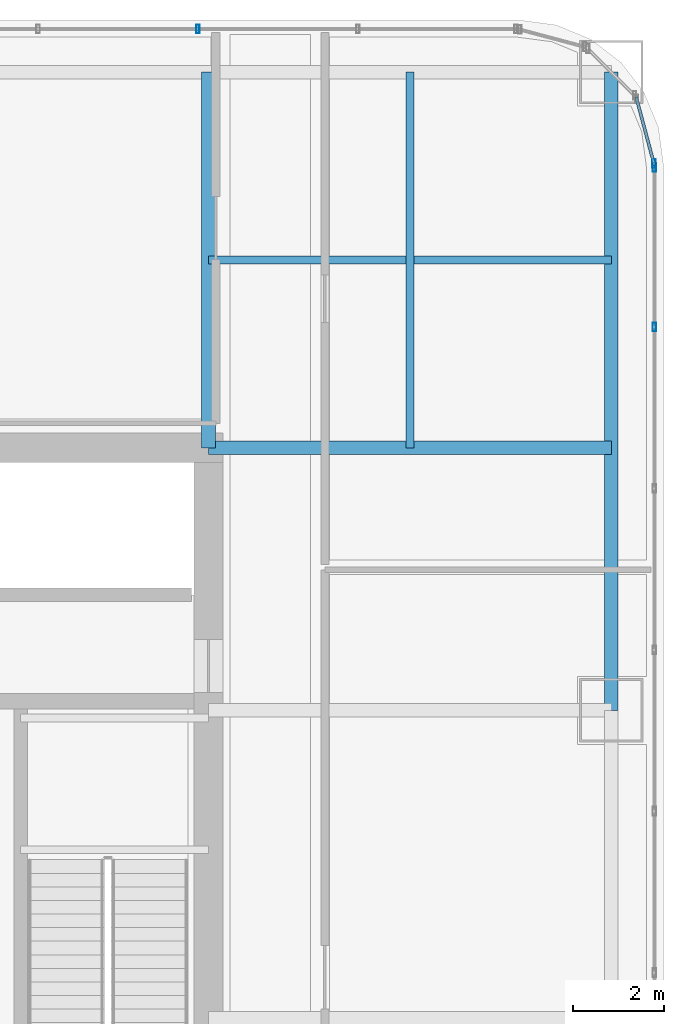
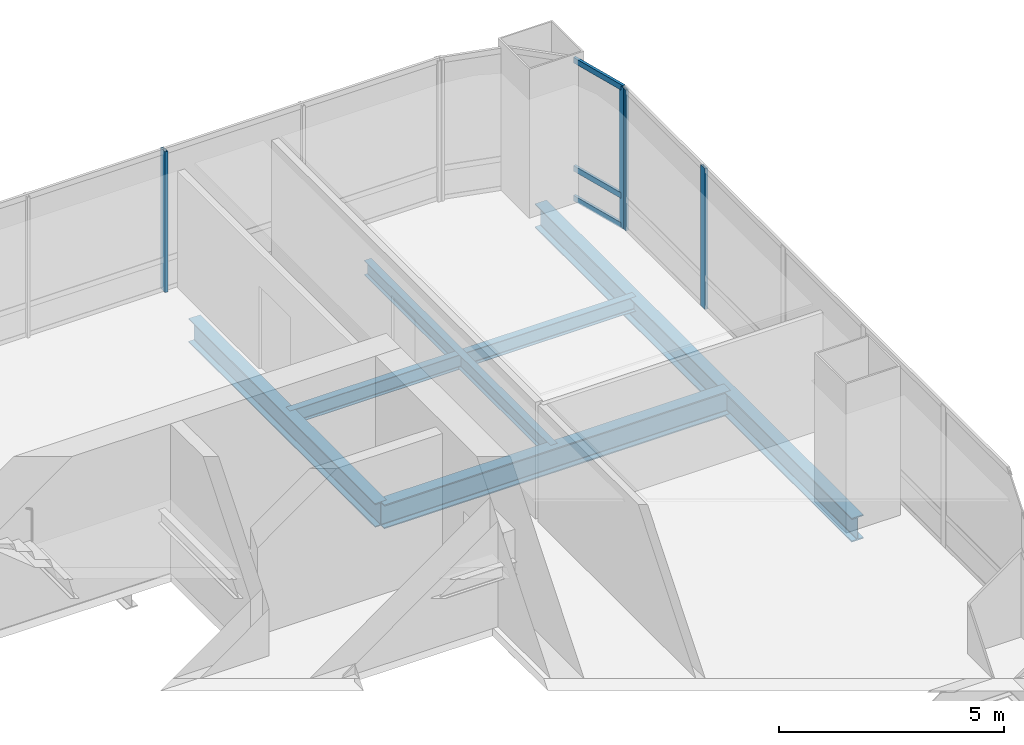
# One storey, part 25 of 36: 7 members, 5 beams, 3 elements without a shape of their own.
"""IFC4 building model written with IfcOpenShell, lengths in metres."""

from ifc_helpers import new_model, si_unit, direction, frame, origin, origin_2d, place, context, subcontext, project, spatial, hollow_rectangle, i_section, extrude, material, material_profile, profile_set, type_object, element, aggregate, save


model = new_model("IFC4")

# Units and contexts
model_context = context("Model", 3, precision=1e-05, world=origin(), true_north=direction((0.0, 1.0)))
body_context = subcontext(model_context, "Body", "Model", "MODEL_VIEW")
ifc_project = project(units=[si_unit("LENGTHUNIT", "METRE"), si_unit("AREAUNIT", "SQUARE_METRE"), si_unit("VOLUMEUNIT", "CUBIC_METRE"), si_unit("PLANEANGLEUNIT", "RADIAN"), si_unit("MASSUNIT", "GRAM", prefix="KILO")], contexts=[model_context])

# Site, building, storey
site_placement = place(None, origin())
site = spatial("IfcSite", under=ifc_project, at=site_placement, CompositionType="ELEMENT")
building_placement = place(site_placement, origin())
building = spatial("IfcBuilding", under=site, at=building_placement, Name="Punatoya Terracotta Tower", CompositionType="ELEMENT")
storey_placement = place(building_placement, frame((0.0, 0.0, 180.300048828125)))
storey = spatial("IfcBuildingStorey", under=building, at=storey_placement, Name="L42", CompositionType="ELEMENT", Elevation=180.300048828125)

# Beams
ifc_material_1 = material(Name="Steel S355", Category="steel")
ifc_material_profile_1 = material_profile(ifc_material_1, i_section(OverallWidth=0.300048828125, OverallDepth=0.64990234375, WebThickness=0.01611328125, FlangeThickness=0.031005859375, FilletRadius=0.01806640625, at=origin_2d()))
ifc_profile_set_1 = profile_set([ifc_material_profile_1], Name="Steel S355")
beam_type_1 = type_object("IfcBeamType", Name="BM-PRI-650", PredefinedType="BEAM", material=ifc_profile_set_1)
beam_1_placement = place(storey_placement, frame((19.10009765625, 3.39990234375, -0.545166015625), z_axis=(0.0, 1.0, 0.0), x_axis=(-1.0, 0.0, 0.0)))
element("IfcBeam", 1, at=beam_1_placement, inside=storey, type_object=beam_type_1, Name="BM-L42-RG-E3", PredefinedType="BEAM", context=body_context, shape_type="SweptSolid", body=[
    extrude(i_section(OverallWidth=0.300048828125, OverallDepth=0.64990234375, WebThickness=0.01611328125, FlangeThickness=0.031005859375, FilletRadius=0.01806640625, at=origin_2d()), origin(), (0.0, 0.0, 1.0), 14.10009765625),
])
beam_2_placement = place(storey_placement, frame((10.199951171875, 9.199951171875, -0.545166015625), z_axis=(1.0, 0.0, 0.0), x_axis=(0.0, 1.0, 0.0)))
element("IfcBeam", 2, at=beam_2_placement, inside=storey, type_object=beam_type_1, Name="BM-L42-PR-EN", PredefinedType="BEAM", context=body_context, shape_type="SweptSolid", body=[
    extrude(i_section(OverallWidth=0.300048828125, OverallDepth=0.64990234375, WebThickness=0.01611328125, FlangeThickness=0.031005859375, FilletRadius=0.01806640625, at=origin_2d()), origin(), (0.0, 0.0, 1.0), 8.900146484375),
])
beam_3_placement = place(storey_placement, frame((10.199951171875, 9.199951171875, -0.545166015625), z_axis=(0.0, 1.0, 0.0), x_axis=(-1.0, 0.0, 0.0)))
element("IfcBeam", 3, at=beam_3_placement, inside=storey, type_object=beam_type_1, Name="BM-L42-PR-N4", PredefinedType="BEAM", context=body_context, shape_type="SweptSolid", body=[
    extrude(i_section(OverallWidth=0.300048828125, OverallDepth=0.64990234375, WebThickness=0.01611328125, FlangeThickness=0.031005859375, FilletRadius=0.01806640625, at=origin_2d()), origin(), (0.0, 0.0, 1.0), 8.300048828125),
])
ifc_material_profile_2 = material_profile(ifc_material_1, i_section(OverallWidth=0.179931640625, OverallDepth=0.39990234375, WebThickness=0.008544921875, FlangeThickness=0.013427734375, FilletRadius=0.01806640625, at=origin_2d()))
ifc_profile_set_2 = profile_set([ifc_material_profile_2], Name="Steel S355")
beam_type_2 = type_object("IfcBeamType", Name="BM-SEC-400", PredefinedType="JOIST", material=ifc_profile_set_2)
beam_4_placement = place(storey_placement, frame((10.199951171875, 13.35009765625, -0.420166015625), z_axis=(1.0, 0.0, 0.0), x_axis=(0.0, 1.0, 0.0)))
element("IfcBeam", 4, at=beam_4_placement, inside=storey, type_object=beam_type_2, Name="BM-L42-SJN-2", PredefinedType="JOIST", context=body_context, shape_type="SweptSolid", body=[
    extrude(i_section(OverallWidth=0.179931640625, OverallDepth=0.39990234375, WebThickness=0.008544921875, FlangeThickness=0.013427734375, FilletRadius=0.01806640625, at=origin_2d()), origin(), (0.0, 0.0, 1.0), 8.900146484375),
])
beam_5_placement = place(storey_placement, frame((14.64990234375, 9.199951171875, -0.420166015625), z_axis=(0.0, 1.0, 0.0), x_axis=(-1.0, 0.0, 0.0)))
element("IfcBeam", 5, at=beam_5_placement, inside=storey, type_object=beam_type_2, Name="BM-L42-SJE-2", PredefinedType="JOIST", context=body_context, shape_type="SweptSolid", body=[
    extrude(i_section(OverallWidth=0.179931640625, OverallDepth=0.39990234375, WebThickness=0.008544921875, FlangeThickness=0.013427734375, FilletRadius=0.01806640625, at=origin_2d()), origin(), (0.0, 0.0, 1.0), 8.300048828125),
])

# Curtain wall, members
ifc_material_2 = material(Name="Aluminium 6063-T6 + Double Low-E Glass", Category="aluminium")
curtain_wall_type = type_object("IfcCurtainWallType", Name="CW-M2", PredefinedType="NOTDEFINED", material=ifc_material_2)
curtain_wall_1_placement = place(storey_placement, origin())
curtain_wall_1 = element("IfcCurtainWall", 6, at=curtain_wall_1_placement, inside=storey, type_object=curtain_wall_type, Name="L42 Curtain Wall CW-L42-E05-1", PredefinedType="NOTDEFINED")
ifc_material_3 = material(Name="Aluminium 6063-T6", Category="aluminium")
ifc_material_profile_3 = material_profile(ifc_material_3, hollow_rectangle(XDim=0.072021484375, YDim=0.195068359375, WallThickness=0.00439453125, at=origin_2d()))
ifc_profile_set_3 = profile_set([ifc_material_profile_3], Name="Aluminium 6063-T6")
member_type_1 = type_object("IfcMemberType", Name="CW-MUL-M2", PredefinedType="MULLION", material=ifc_profile_set_3)
member_1_placement = place(storey_placement, frame((20.050048828125, 11.869384765625, 0.0), z_axis=(0.0, 0.0, 1.0), x_axis=(1.0, 0.0, 0.0)))
member_1 = element("IfcMember", 7, at=member_1_placement, type_object=member_type_1, Name="CW-L42-E05-1 Mullion 09", PredefinedType="MULLION", context=body_context, shape_type="SweptSolid", body=[
    extrude(hollow_rectangle(XDim=0.072021484375, YDim=0.195068359375, WallThickness=0.00439453125, at=origin_2d()), origin(), (0.0, 0.0, 1.0), 3.829833984375),
])
member_2_placement = place(storey_placement, frame((20.050048828125, 15.391845703125, 0.0), z_axis=(0.0, 0.0, 1.0), x_axis=(1.0, 0.0, 0.0)))
member_2 = element("IfcMember", 8, at=member_2_placement, type_object=member_type_1, Name="CW-L42-E05-1 Mullion 10", PredefinedType="MULLION", context=body_context, shape_type="SweptSolid", body=[
    extrude(hollow_rectangle(XDim=0.072021484375, YDim=0.195068359375, WallThickness=0.00439453125, at=origin_2d()), origin(), (0.0, 0.0, 1.0), 3.829833984375),
])
aggregate(curtain_wall_1, [member_1, member_2])

# Curtain wall, member
curtain_wall_2_placement = place(storey_placement, origin())
curtain_wall_2 = element("IfcCurtainWall", 9, at=curtain_wall_2_placement, inside=storey, type_object=curtain_wall_type, Name="L42 Curtain Wall CW-L42-CRN06", PredefinedType="NOTDEFINED")
member_3_placement = place(storey_placement, frame((20.038330078125, 15.48046875, 0.0), z_axis=(0.0, 0.0, 1.0), x_axis=(1.0, 0.0, 0.0)))
member_3 = element("IfcMember", 10, at=member_3_placement, type_object=member_type_1, Name="CW-L42-CRN06 Mullion 00", PredefinedType="MULLION", context=body_context, shape_type="SweptSolid", body=[
    extrude(hollow_rectangle(XDim=0.072021484375, YDim=0.195068359375, WallThickness=0.00439453125, at=origin_2d()), origin(), (0.0, 0.0, 1.0), 3.829833984375),
])

curtain_wall_3_placement = place(storey_placement, origin())
curtain_wall_3 = element("IfcCurtainWall", 11, at=curtain_wall_3_placement, inside=storey, type_object=curtain_wall_type, Name="L42 Curtain Wall CW-L42-N09-1", PredefinedType="NOTDEFINED")
member_4_placement = place(storey_placement, frame((9.968994140625, 18.449951171875, 0.0), z_axis=(0.0, 0.0, 1.0), x_axis=(1.0, 0.0, 0.0)))
member_4 = element("IfcMember", 12, at=member_4_placement, type_object=member_type_1, Name="CW-L42-N09-1 Mullion 02", PredefinedType="MULLION", context=body_context, shape_type="SweptSolid", body=[
    extrude(hollow_rectangle(XDim=0.072021484375, YDim=0.195068359375, WallThickness=0.00439453125, at=origin_2d()), origin(), (0.0, 0.0, 1.0), 3.829833984375),
])
aggregate(curtain_wall_3, [member_4])

# Member
ifc_material_profile_4 = material_profile(ifc_material_3, hollow_rectangle(XDim=0.068115234375, YDim=0.14990234375, WallThickness=0.00390625, at=origin_2d()))
ifc_profile_set_4 = profile_set([ifc_material_profile_4], Name="Aluminium 6063-T6")
member_type_2 = type_object("IfcMemberType", Name="CW-TRN-TYP", PredefinedType="USERDEFINED", material=ifc_profile_set_4)
member_5_placement = place(storey_placement, frame((20.050048828125, 15.43701171875, 0.0400390625), z_axis=(-0.257847112249, 0.966185730957, 0.0), x_axis=(-0.966185730957, -0.257847112249, 0.0)))
member_5 = element("IfcMember", 13, at=member_5_placement, type_object=member_type_2, Name="CW-L42-CRN06 Transom 1", ObjectType="TRANSOM", PredefinedType="USERDEFINED", context=body_context, shape_type="SweptSolid", body=[
    extrude(hollow_rectangle(XDim=0.068115234375, YDim=0.14990234375, WallThickness=0.00390625, at=origin_2d()), origin(), (0.0, 0.0, 1.0), 1.565185546875),
])

member_6_placement = place(storey_placement, frame((20.050048828125, 15.43701171875, 0.849853515625), z_axis=(-0.257847112249, 0.966185730957, 0.0), x_axis=(-0.966185730957, -0.257847112249, 0.0)))
member_6 = element("IfcMember", 14, at=member_6_placement, type_object=member_type_2, Name="CW-L42-CRN06 Transom 2", ObjectType="TRANSOM", PredefinedType="USERDEFINED", context=body_context, shape_type="SweptSolid", body=[
    extrude(hollow_rectangle(XDim=0.068115234375, YDim=0.14990234375, WallThickness=0.00390625, at=origin_2d()), origin(), (0.0, 0.0, 1.0), 1.565185546875),
])

member_7_placement = place(storey_placement, frame((20.050048828125, 15.43701171875, 3.7900390625), z_axis=(-0.257847112249, 0.966185730957, 0.0), x_axis=(-0.966185730957, -0.257847112249, 0.0)))
member_7 = element("IfcMember", 15, at=member_7_placement, type_object=member_type_2, Name="CW-L42-CRN06 Transom 3", ObjectType="TRANSOM", PredefinedType="USERDEFINED", context=body_context, shape_type="SweptSolid", body=[
    extrude(hollow_rectangle(XDim=0.068115234375, YDim=0.14990234375, WallThickness=0.00390625, at=origin_2d()), origin(), (0.0, 0.0, 1.0), 1.565185546875),
])

aggregate(curtain_wall_2, [member_3, member_5, member_6, member_7])

save(model, "model.ifc")
